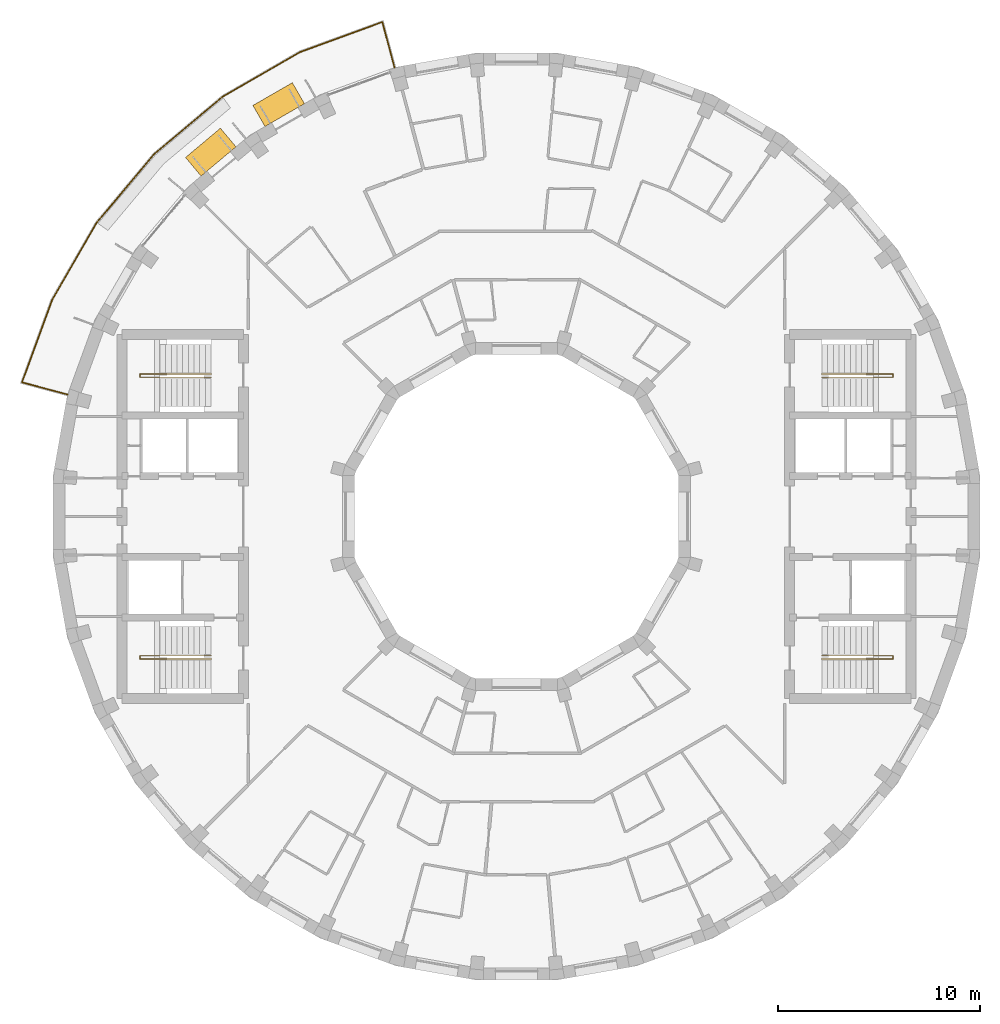
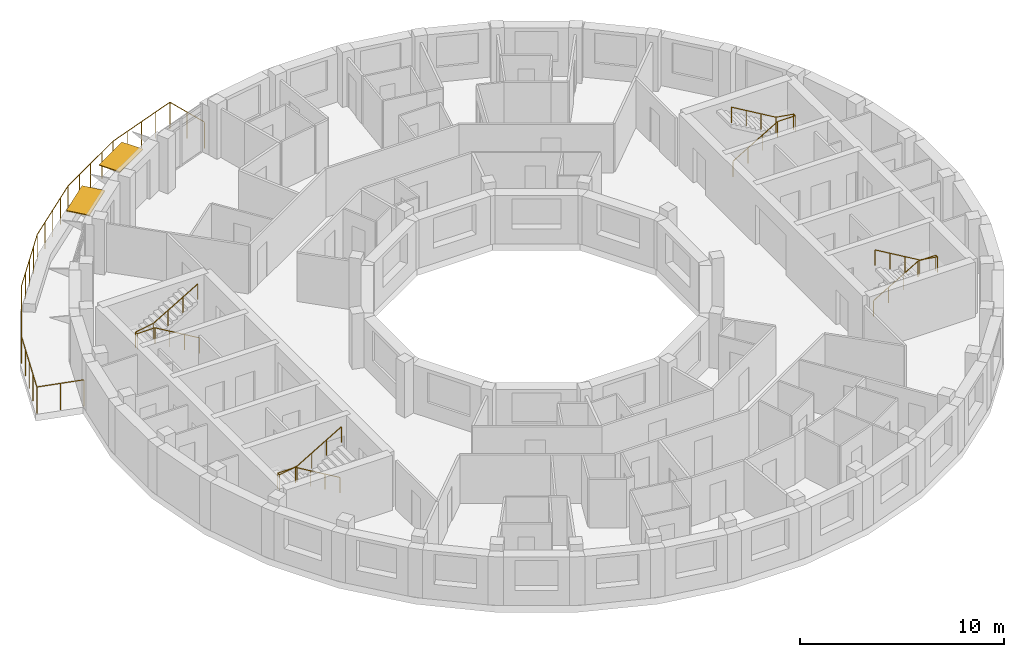
# One storey, part 12 of 12: 5 railings, 2 shading devices.
"""IFC4 building model written with IfcOpenShell, lengths in metres."""

from ifc_helpers import new_model, si_unit, direction, frame, origin, origin_2d, place, context, subcontext, project, spatial, rectangle, circle, extrude, material, layer, layer_set, type_object, element, save


model = new_model("IFC4")

# Units and contexts
model_context = context("Model", 3, precision=1e-05, world=origin(), true_north=direction((0.0, 1.0)))
body_context = subcontext(model_context, "Body", "Model", "MODEL_VIEW")
ifc_project = project(units=[si_unit("LENGTHUNIT", "METRE"), si_unit("AREAUNIT", "SQUARE_METRE"), si_unit("VOLUMEUNIT", "CUBIC_METRE"), si_unit("PLANEANGLEUNIT", "RADIAN"), si_unit("MASSUNIT", "GRAM", prefix="KILO")], contexts=[model_context])

# Site, building, storey
site_placement = place(None, origin())
site = spatial("IfcSite", under=ifc_project, at=site_placement, CompositionType="ELEMENT")
building_placement = place(site_placement, origin())
building = spatial("IfcBuilding", under=site, at=building_placement, Name="Saqina Gate Tower", CompositionType="ELEMENT")
storey_placement = place(building_placement, frame((0.0, 0.0, 229.699951171875)))
storey = spatial("IfcBuildingStorey", under=building, at=storey_placement, Name="L65", CompositionType="ELEMENT", Elevation=229.699951171875)

# Shading devices
ifc_material_1 = material(Name="Aluminium and fabric awning", Category="aluminium")
ifc_layer = layer(ifc_material_1, 0.050048828125)
ifc_layer_set = layer_set([ifc_layer], Name="AW-TERRACE")
shading_device_type = type_object("IfcShadingDeviceType", Name="AW-TERRACE", PredefinedType="AWNING", material=ifc_layer_set)
for number, where, z_axis, x_axis, name in (
    (1, (-11.756103515625, 20.3623046875, 2.52490234375), (0.0, 0.0, 1.0), (-0.866025403784, -0.5, 0.0), "Terrace awning L65 facet 12"),
    (2, (-15.113525390625, 18.01171875, 2.52490234375), (0.0, 0.0, 1.0), (-0.766044443119, -0.642787609687, 0.0), "Terrace awning L65 facet 13"),
):
    element("IfcShadingDevice", number, at=place(storey_placement, frame(where, z_axis=z_axis, x_axis=x_axis)), inside=storey, type_object=shading_device_type, Name=name, PredefinedType="AWNING", context=body_context, shape_type="SweptSolid", body=[
        extrude(rectangle(XDim=2.251708984375, YDim=1.199951171875, at=origin_2d()), origin(), (0.0, 0.0, 1.0), 0.050048828125),
    ])

# Railings
ifc_material_2 = material(Name="Stainless steel", Category="steel")
railing_type_1 = type_object("IfcRailingType", Name="RL-TERRACE", PredefinedType="GUARDRAIL", material=ifc_material_2)
railing_1_placement = place(storey_placement, frame((-6.0146484375, 22.1376953125, 0.0)))
element("IfcRailing", 3, at=railing_1_placement, inside=storey, type_object=railing_type_1, Name="Terrace guard L65", PredefinedType="GUARDRAIL", context=body_context, shape_type="SweptSolid", body=[
    extrude(circle(Radius=0.02392578125, at=origin_2d()), frame((0.0, 0.0, 1.576171875), z_axis=(-0.25878206332, 0.965935734769, 0.0), x_axis=(-0.965935734769, -0.25878206332, 0.0)), (0.0, 0.0, 1.0), 2.388671875),
    extrude(circle(Radius=0.02392578125, at=origin_2d()), frame((-0.6181640625, 2.307373046875, 1.576171875), z_axis=(-0.939147224879, -0.343514905065, 0.0), x_axis=(0.343514905065, -0.939147224879, 0.0)), (0.0, 0.0, 1.0), 4.33544921875),
    extrude(circle(Radius=0.02392578125, at=origin_2d()), frame((-4.689697265625, 0.818115234375, 1.576171875), z_axis=(-0.866036415623, -0.49998092645, 0.0), x_axis=(0.49998092645, -0.866036415623, 0.0)), (0.0, 0.0, 1.0), 4.415283203125),
    extrude(circle(Radius=0.02392578125, at=origin_2d()), frame((-8.513427734375, -1.389404296875, 1.576171875), z_axis=(-0.766018499335, -0.642818527017, 0.0), x_axis=(0.642818527017, -0.766018499335, 0.0)), (0.0, 0.0, 1.0), 4.4150390625),
    extrude(circle(Radius=0.02392578125, at=origin_2d()), frame((-11.8955078125, -4.2275390625, 1.576171875), z_axis=(-0.642818527017, -0.766018499335, 0.0), x_axis=(0.766018499335, -0.642818527017, 0.0)), (0.0, 0.0, 1.0), 4.4150390625),
    extrude(circle(Radius=0.02392578125, at=origin_2d()), frame((-14.733642578125, -7.609619140625, 1.576171875), z_axis=(-0.49998092645, -0.866036415623, 0.0), x_axis=(0.866036415623, -0.49998092645, 0.0)), (0.0, 0.0, 1.0), 4.415283203125),
    extrude(circle(Radius=0.02392578125, at=origin_2d()), frame((-16.941162109375, -11.433349609375, 1.576171875), z_axis=(-0.343514905065, -0.939147224879, 0.0), x_axis=(0.939147224879, -0.343514905065, 0.0)), (0.0, 0.0, 1.0), 4.33544921875),
    extrude(circle(Radius=0.02392578125, at=origin_2d()), frame((-18.430419921875, -15.5048828125, 1.576171875), z_axis=(0.965935734769, -0.25878206332, 0.0), x_axis=(0.25878206332, 0.965935734769, 0.0)), (0.0, 0.0, 1.0), 2.388671875),
    extrude(circle(Radius=0.02099609375, at=origin_2d()), origin(), (0.0, 0.0, 1.0), 1.552001953125),
    extrude(circle(Radius=0.02099609375, at=origin_2d()), frame((-0.30908203125, 1.15380859375, 0.0)), (0.0, 0.0, 1.0), 1.552001953125),
    extrude(circle(Radius=0.02099609375, at=origin_2d()), frame((-0.6181640625, 2.307373046875, 0.0)), (0.0, 0.0, 1.0), 1.552001953125),
    extrude(circle(Radius=0.02099609375, at=origin_2d()), frame((-1.635986328125, 1.93505859375, 0.0)), (0.0, 0.0, 1.0), 1.552001953125),
    extrude(circle(Radius=0.02099609375, at=origin_2d()), frame((-2.65380859375, 1.562744140625, 0.0)), (0.0, 0.0, 1.0), 1.552001953125),
    extrude(circle(Radius=0.02099609375, at=origin_2d()), frame((-3.671875, 1.1904296875, 0.0)), (0.0, 0.0, 1.0), 1.552001953125),
    extrude(circle(Radius=0.02099609375, at=origin_2d()), frame((-4.689697265625, 0.818115234375, 0.0)), (0.0, 0.0, 1.0), 1.552001953125),
    extrude(circle(Radius=0.02099609375, at=origin_2d()), frame((-5.6455078125, 0.26611328125, 0.0)), (0.0, 0.0, 1.0), 1.552001953125),
    extrude(circle(Radius=0.02099609375, at=origin_2d()), frame((-6.6015625, -0.28564453125, 0.0)), (0.0, 0.0, 1.0), 1.552001953125),
    extrude(circle(Radius=0.02099609375, at=origin_2d()), frame((-7.5576171875, -0.83740234375, 0.0)), (0.0, 0.0, 1.0), 1.552001953125),
    extrude(circle(Radius=0.02099609375, at=origin_2d()), frame((-8.513427734375, -1.389404296875, 0.0)), (0.0, 0.0, 1.0), 1.552001953125),
    extrude(circle(Radius=0.02099609375, at=origin_2d()), frame((-9.35888671875, -2.098876953125, 0.0)), (0.0, 0.0, 1.0), 1.552001953125),
    extrude(circle(Radius=0.02099609375, at=origin_2d()), frame((-10.20458984375, -2.80859375, 0.0)), (0.0, 0.0, 1.0), 1.552001953125),
    extrude(circle(Radius=0.02099609375, at=origin_2d()), frame((-11.050048828125, -3.51806640625, 0.0)), (0.0, 0.0, 1.0), 1.552001953125),
    extrude(circle(Radius=0.02099609375, at=origin_2d()), frame((-11.8955078125, -4.2275390625, 0.0)), (0.0, 0.0, 1.0), 1.552001953125),
    extrude(circle(Radius=0.02099609375, at=origin_2d()), frame((-12.60498046875, -5.072998046875, 0.0)), (0.0, 0.0, 1.0), 1.552001953125),
    extrude(circle(Radius=0.02099609375, at=origin_2d()), frame((-13.314453125, -5.91845703125, 0.0)), (0.0, 0.0, 1.0), 1.552001953125),
    extrude(circle(Radius=0.02099609375, at=origin_2d()), frame((-14.024169921875, -6.76416015625, 0.0)), (0.0, 0.0, 1.0), 1.552001953125),
    extrude(circle(Radius=0.02099609375, at=origin_2d()), frame((-14.733642578125, -7.609619140625, 0.0)), (0.0, 0.0, 1.0), 1.552001953125),
    extrude(circle(Radius=0.02099609375, at=origin_2d()), frame((-15.28564453125, -8.5654296875, 0.0)), (0.0, 0.0, 1.0), 1.552001953125),
    extrude(circle(Radius=0.02099609375, at=origin_2d()), frame((-15.83740234375, -9.521484375, 0.0)), (0.0, 0.0, 1.0), 1.552001953125),
    extrude(circle(Radius=0.02099609375, at=origin_2d()), frame((-16.38916015625, -10.4775390625, 0.0)), (0.0, 0.0, 1.0), 1.552001953125),
    extrude(circle(Radius=0.02099609375, at=origin_2d()), frame((-16.941162109375, -11.433349609375, 0.0)), (0.0, 0.0, 1.0), 1.552001953125),
    extrude(circle(Radius=0.02099609375, at=origin_2d()), frame((-17.3134765625, -12.451171875, 0.0)), (0.0, 0.0, 1.0), 1.552001953125),
    extrude(circle(Radius=0.02099609375, at=origin_2d()), frame((-17.685791015625, -13.46923828125, 0.0)), (0.0, 0.0, 1.0), 1.552001953125),
    extrude(circle(Radius=0.02099609375, at=origin_2d()), frame((-18.05810546875, -14.487060546875, 0.0)), (0.0, 0.0, 1.0), 1.552001953125),
    extrude(circle(Radius=0.02099609375, at=origin_2d()), frame((-18.430419921875, -15.5048828125, 0.0)), (0.0, 0.0, 1.0), 1.552001953125),
    extrude(circle(Radius=0.02099609375, at=origin_2d()), frame((-17.27685546875, -15.81396484375, 0.0)), (0.0, 0.0, 1.0), 1.552001953125),
    extrude(circle(Radius=0.02099609375, at=origin_2d()), frame((-16.123046875, -16.123046875, 0.0)), (0.0, 0.0, 1.0), 1.552001953125),
])
ifc_material_3 = material(Name="Stainless steel", Category="steel")
railing_type_2 = type_object("IfcRailingType", Name="STAIR HANDRAIL", PredefinedType="HANDRAIL", material=ifc_material_3)
railing_2_placement = place(storey_placement, frame((15.10009765625, 6.88330078125, 0.1650390625)))
element("IfcRailing", 4, at=railing_2_placement, inside=storey, type_object=railing_type_2, Name="EXIT STAIR 1 HANDRAIL", PredefinedType="HANDRAIL", context=body_context, shape_type="SweptSolid", body=[
    extrude(circle(Radius=0.02392578125, at=origin_2d()), frame((0.0, 0.0, 0.92578125), z_axis=(0.86152411907, 0.0, 0.507716645641), x_axis=(0.0, 1.0, 0.0)), (0.0, 0.0, 1.0), 2.925048828125),
    extrude(circle(Radius=0.02392578125, at=origin_2d()), frame((2.52001953125, 0.0, 2.4111328125), z_axis=(1.0, 0.0, 0.0), x_axis=(0.0, 1.0, 0.0)), (0.0, 0.0, 1.0), 1.0),
    extrude(circle(Radius=0.02392578125, at=origin_2d()), frame((3.52001953125, 0.0, 2.4111328125), z_axis=(0.0, 1.0, 0.0), x_axis=(-1.0, 0.0, 0.0)), (0.0, 0.0, 1.0), 0.158447265625),
    extrude(circle(Radius=0.02392578125, at=origin_2d()), frame((3.52001953125, 0.158447265625, 2.4111328125), z_axis=(-0.986691773887, 0.0, 0.162601793792), x_axis=(0.0, -1.0, 0.0)), (0.0, 0.0, 1.0), 1.013427734375),
    extrude(circle(Radius=0.02392578125, at=origin_2d()), frame((2.52001953125, 0.158447265625, 2.57568359375), z_axis=(-0.86152411907, 0.0, 0.507716645641), x_axis=(0.0, -1.0, 0.0)), (0.0, 0.0, 1.0), 2.925048828125),
    extrude(circle(Radius=0.02099609375, at=origin_2d()), origin(), (0.0, 0.0, 1.0), 0.90185546875),
    extrude(circle(Radius=0.02099609375, at=origin_2d()), frame((0.840087890625, 0.0, 0.4951171875)), (0.0, 0.0, 1.0), 0.90185546875),
    extrude(circle(Radius=0.02099609375, at=origin_2d()), frame((1.679931640625, 0.0, 0.989990234375)), (0.0, 0.0, 1.0), 0.90185546875),
    extrude(circle(Radius=0.02099609375, at=origin_2d()), frame((2.52001953125, 0.0, 1.485107421875)), (0.0, 0.0, 1.0), 0.90185546875),
    extrude(circle(Radius=0.02099609375, at=origin_2d()), frame((3.52001953125, 0.0, 1.485107421875)), (0.0, 0.0, 1.0), 0.90185546875),
    extrude(circle(Radius=0.02099609375, at=origin_2d()), frame((3.52001953125, 0.158447265625, 1.485107421875)), (0.0, 0.0, 1.0), 0.90185546875),
    extrude(circle(Radius=0.02099609375, at=origin_2d()), frame((2.52001953125, 0.158447265625, 1.64990234375)), (0.0, 0.0, 1.0), 0.90185546875),
    extrude(circle(Radius=0.02099609375, at=origin_2d()), frame((1.679931640625, 0.158447265625, 2.14501953125)), (0.0, 0.0, 1.0), 0.90185546875),
    extrude(circle(Radius=0.02099609375, at=origin_2d()), frame((0.840087890625, 0.158447265625, 2.639892578125)), (0.0, 0.0, 1.0), 0.90185546875),
    extrude(circle(Radius=0.02099609375, at=origin_2d()), frame((0.0, 0.158447265625, 3.135009765625)), (0.0, 0.0, 1.0), 0.90185546875),
])
railing_3_placement = place(storey_placement, frame((15.10009765625, -6.88330078125, 0.1650390625)))
element("IfcRailing", 5, at=railing_3_placement, inside=storey, type_object=railing_type_2, Name="EXIT STAIR 2 HANDRAIL", PredefinedType="HANDRAIL", context=body_context, shape_type="SweptSolid", body=[
    extrude(circle(Radius=0.02392578125, at=origin_2d()), frame((0.0, 0.0, 0.92578125), z_axis=(0.86152411907, 0.0, 0.507716645641), x_axis=(0.0, 1.0, 0.0)), (0.0, 0.0, 1.0), 2.925048828125),
    extrude(circle(Radius=0.02392578125, at=origin_2d()), frame((2.52001953125, 0.0, 2.4111328125), z_axis=(1.0, 0.0, 0.0), x_axis=(0.0, 1.0, 0.0)), (0.0, 0.0, 1.0), 1.0),
    extrude(circle(Radius=0.02392578125, at=origin_2d()), frame((3.52001953125, 0.0, 2.4111328125), z_axis=(0.0, -1.0, 0.0), x_axis=(1.0, 0.0, 0.0)), (0.0, 0.0, 1.0), 0.158447265625),
    extrude(circle(Radius=0.02392578125, at=origin_2d()), frame((3.52001953125, -0.158447265625, 2.4111328125), z_axis=(-0.986691773887, 0.0, 0.162601793792), x_axis=(0.0, -1.0, 0.0)), (0.0, 0.0, 1.0), 1.013427734375),
    extrude(circle(Radius=0.02392578125, at=origin_2d()), frame((2.52001953125, -0.158447265625, 2.57568359375), z_axis=(-0.86152411907, 0.0, 0.507716645641), x_axis=(0.0, -1.0, 0.0)), (0.0, 0.0, 1.0), 2.925048828125),
    extrude(circle(Radius=0.02099609375, at=origin_2d()), origin(), (0.0, 0.0, 1.0), 0.90185546875),
    extrude(circle(Radius=0.02099609375, at=origin_2d()), frame((0.840087890625, 0.0, 0.4951171875)), (0.0, 0.0, 1.0), 0.90185546875),
    extrude(circle(Radius=0.02099609375, at=origin_2d()), frame((1.679931640625, 0.0, 0.989990234375)), (0.0, 0.0, 1.0), 0.90185546875),
    extrude(circle(Radius=0.02099609375, at=origin_2d()), frame((2.52001953125, 0.0, 1.485107421875)), (0.0, 0.0, 1.0), 0.90185546875),
    extrude(circle(Radius=0.02099609375, at=origin_2d()), frame((3.52001953125, 0.0, 1.485107421875)), (0.0, 0.0, 1.0), 0.90185546875),
    extrude(circle(Radius=0.02099609375, at=origin_2d()), frame((3.52001953125, -0.158447265625, 1.485107421875)), (0.0, 0.0, 1.0), 0.90185546875),
    extrude(circle(Radius=0.02099609375, at=origin_2d()), frame((2.52001953125, -0.158447265625, 1.64990234375)), (0.0, 0.0, 1.0), 0.90185546875),
    extrude(circle(Radius=0.02099609375, at=origin_2d()), frame((1.679931640625, -0.158447265625, 2.14501953125)), (0.0, 0.0, 1.0), 0.90185546875),
    extrude(circle(Radius=0.02099609375, at=origin_2d()), frame((0.840087890625, -0.158447265625, 2.639892578125)), (0.0, 0.0, 1.0), 0.90185546875),
    extrude(circle(Radius=0.02099609375, at=origin_2d()), frame((0.0, -0.158447265625, 3.135009765625)), (0.0, 0.0, 1.0), 0.90185546875),
])
railing_4_placement = place(storey_placement, frame((-15.10009765625, 6.88330078125, 0.1650390625)))
element("IfcRailing", 6, at=railing_4_placement, inside=storey, type_object=railing_type_2, Name="EXIT STAIR 3 HANDRAIL", PredefinedType="HANDRAIL", context=body_context, shape_type="SweptSolid", body=[
    extrude(circle(Radius=0.02392578125, at=origin_2d()), frame((0.0, 0.0, 0.92578125), z_axis=(-0.86152411907, 0.0, 0.507716645641), x_axis=(0.0, -1.0, 0.0)), (0.0, 0.0, 1.0), 2.925048828125),
    extrude(circle(Radius=0.02392578125, at=origin_2d()), frame((-2.52001953125, 0.0, 2.4111328125), z_axis=(-1.0, 0.0, 0.0), x_axis=(0.0, -1.0, 0.0)), (0.0, 0.0, 1.0), 1.0),
    extrude(circle(Radius=0.02392578125, at=origin_2d()), frame((-3.52001953125, 0.0, 2.4111328125), z_axis=(0.0, 1.0, 0.0), x_axis=(-1.0, 0.0, 0.0)), (0.0, 0.0, 1.0), 0.158447265625),
    extrude(circle(Radius=0.02392578125, at=origin_2d()), frame((-3.52001953125, 0.158447265625, 2.4111328125), z_axis=(0.986691773887, 0.0, 0.162601793792), x_axis=(0.0, 1.0, 0.0)), (0.0, 0.0, 1.0), 1.013427734375),
    extrude(circle(Radius=0.02392578125, at=origin_2d()), frame((-2.52001953125, 0.158447265625, 2.57568359375), z_axis=(0.86152411907, 0.0, 0.507716645641), x_axis=(0.0, 1.0, 0.0)), (0.0, 0.0, 1.0), 2.925048828125),
    extrude(circle(Radius=0.02099609375, at=origin_2d()), origin(), (0.0, 0.0, 1.0), 0.90185546875),
    extrude(circle(Radius=0.02099609375, at=origin_2d()), frame((-0.840087890625, 0.0, 0.4951171875)), (0.0, 0.0, 1.0), 0.90185546875),
    extrude(circle(Radius=0.02099609375, at=origin_2d()), frame((-1.679931640625, 0.0, 0.989990234375)), (0.0, 0.0, 1.0), 0.90185546875),
    extrude(circle(Radius=0.02099609375, at=origin_2d()), frame((-2.52001953125, 0.0, 1.485107421875)), (0.0, 0.0, 1.0), 0.90185546875),
    extrude(circle(Radius=0.02099609375, at=origin_2d()), frame((-3.52001953125, 0.0, 1.485107421875)), (0.0, 0.0, 1.0), 0.90185546875),
    extrude(circle(Radius=0.02099609375, at=origin_2d()), frame((-3.52001953125, 0.158447265625, 1.485107421875)), (0.0, 0.0, 1.0), 0.90185546875),
    extrude(circle(Radius=0.02099609375, at=origin_2d()), frame((-2.52001953125, 0.158447265625, 1.64990234375)), (0.0, 0.0, 1.0), 0.90185546875),
    extrude(circle(Radius=0.02099609375, at=origin_2d()), frame((-1.679931640625, 0.158447265625, 2.14501953125)), (0.0, 0.0, 1.0), 0.90185546875),
    extrude(circle(Radius=0.02099609375, at=origin_2d()), frame((-0.840087890625, 0.158447265625, 2.639892578125)), (0.0, 0.0, 1.0), 0.90185546875),
    extrude(circle(Radius=0.02099609375, at=origin_2d()), frame((0.0, 0.158447265625, 3.135009765625)), (0.0, 0.0, 1.0), 0.90185546875),
])
railing_5_placement = place(storey_placement, frame((-15.10009765625, -6.88330078125, 0.1650390625)))
element("IfcRailing", 7, at=railing_5_placement, inside=storey, type_object=railing_type_2, Name="EXIT STAIR 4 HANDRAIL", PredefinedType="HANDRAIL", context=body_context, shape_type="SweptSolid", body=[
    extrude(circle(Radius=0.02392578125, at=origin_2d()), frame((0.0, 0.0, 0.92578125), z_axis=(-0.86152411907, 0.0, 0.507716645641), x_axis=(0.0, -1.0, 0.0)), (0.0, 0.0, 1.0), 2.925048828125),
    extrude(circle(Radius=0.02392578125, at=origin_2d()), frame((-2.52001953125, 0.0, 2.4111328125), z_axis=(-1.0, 0.0, 0.0), x_axis=(0.0, -1.0, 0.0)), (0.0, 0.0, 1.0), 1.0),
    extrude(circle(Radius=0.02392578125, at=origin_2d()), frame((-3.52001953125, 0.0, 2.4111328125), z_axis=(0.0, -1.0, 0.0), x_axis=(1.0, 0.0, 0.0)), (0.0, 0.0, 1.0), 0.158447265625),
    extrude(circle(Radius=0.02392578125, at=origin_2d()), frame((-3.52001953125, -0.158447265625, 2.4111328125), z_axis=(0.986691773887, 0.0, 0.162601793792), x_axis=(0.0, 1.0, 0.0)), (0.0, 0.0, 1.0), 1.013427734375),
    extrude(circle(Radius=0.02392578125, at=origin_2d()), frame((-2.52001953125, -0.158447265625, 2.57568359375), z_axis=(0.86152411907, 0.0, 0.507716645641), x_axis=(0.0, 1.0, 0.0)), (0.0, 0.0, 1.0), 2.925048828125),
    extrude(circle(Radius=0.02099609375, at=origin_2d()), origin(), (0.0, 0.0, 1.0), 0.90185546875),
    extrude(circle(Radius=0.02099609375, at=origin_2d()), frame((-0.840087890625, 0.0, 0.4951171875)), (0.0, 0.0, 1.0), 0.90185546875),
    extrude(circle(Radius=0.02099609375, at=origin_2d()), frame((-1.679931640625, 0.0, 0.989990234375)), (0.0, 0.0, 1.0), 0.90185546875),
    extrude(circle(Radius=0.02099609375, at=origin_2d()), frame((-2.52001953125, 0.0, 1.485107421875)), (0.0, 0.0, 1.0), 0.90185546875),
    extrude(circle(Radius=0.02099609375, at=origin_2d()), frame((-3.52001953125, 0.0, 1.485107421875)), (0.0, 0.0, 1.0), 0.90185546875),
    extrude(circle(Radius=0.02099609375, at=origin_2d()), frame((-3.52001953125, -0.158447265625, 1.485107421875)), (0.0, 0.0, 1.0), 0.90185546875),
    extrude(circle(Radius=0.02099609375, at=origin_2d()), frame((-2.52001953125, -0.158447265625, 1.64990234375)), (0.0, 0.0, 1.0), 0.90185546875),
    extrude(circle(Radius=0.02099609375, at=origin_2d()), frame((-1.679931640625, -0.158447265625, 2.14501953125)), (0.0, 0.0, 1.0), 0.90185546875),
    extrude(circle(Radius=0.02099609375, at=origin_2d()), frame((-0.840087890625, -0.158447265625, 2.639892578125)), (0.0, 0.0, 1.0), 0.90185546875),
    extrude(circle(Radius=0.02099609375, at=origin_2d()), frame((0.0, -0.158447265625, 3.135009765625)), (0.0, 0.0, 1.0), 0.90185546875),
])

save(model, "model.ifc")
